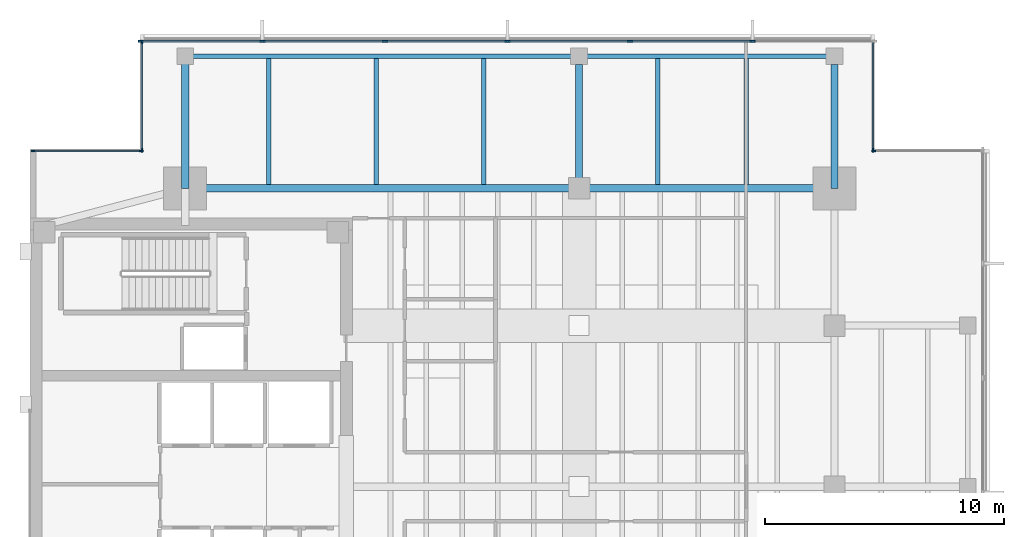
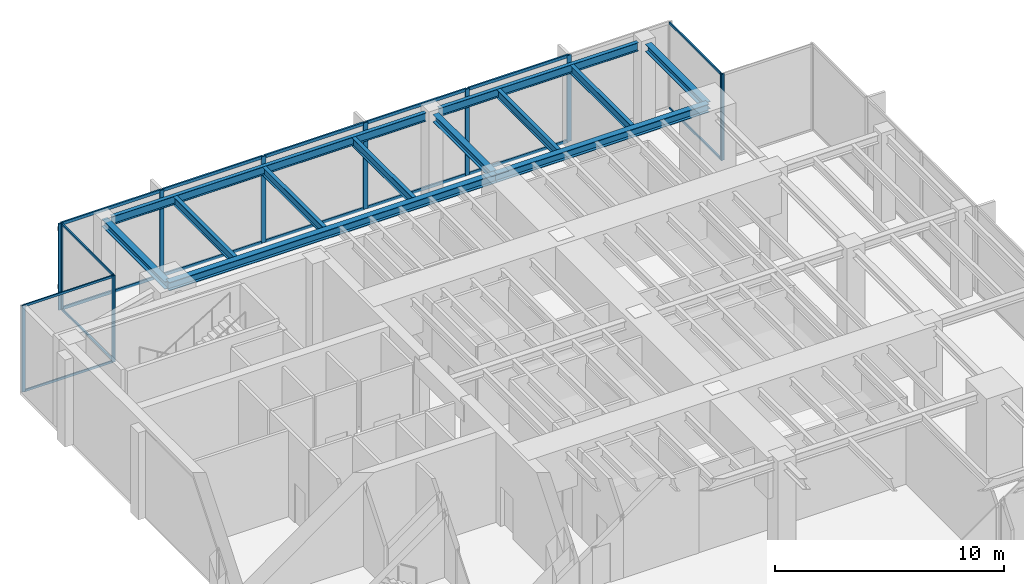
# One storey, part 5 of 14: 28 members, 12 beams, 5 elements without a shape of their own.
"""IFC4 building model written with IfcOpenShell, lengths in metres."""

from ifc_helpers import new_model, si_unit, direction, frame, origin, origin_2d, place, context, subcontext, project, spatial, rectangle, i_section, extrude, material, layer, layer_set, material_profile, profile_set, type_object, element, aggregate, save


model = new_model("IFC4")

# Units and contexts
model_context = context("Model", 3, precision=1e-05, world=origin(), true_north=direction((0.0, 1.0)))
body_context = subcontext(model_context, "Body", "Model", "MODEL_VIEW")
ifc_project = project(units=[si_unit("LENGTHUNIT", "METRE"), si_unit("AREAUNIT", "SQUARE_METRE"), si_unit("VOLUMEUNIT", "CUBIC_METRE"), si_unit("PLANEANGLEUNIT", "RADIAN"), si_unit("MASSUNIT", "GRAM", prefix="KILO")], contexts=[model_context])

# Site, building, storey
site_placement = place(None, origin())
site = spatial("IfcSite", under=ifc_project, at=site_placement, CompositionType="ELEMENT")
building_placement = place(site_placement, origin())
building = spatial("IfcBuilding", under=site, at=building_placement, Name="Kinhvarn Gate Tower", CompositionType="ELEMENT")
storey_placement = place(building_placement, frame((0.0, 0.0, 291.85009765625)))
storey = spatial("IfcBuildingStorey", under=building, at=storey_placement, Name="L78", CompositionType="ELEMENT", Elevation=291.85009765625)

# Curtain wall, member
ifc_material_1 = material(Name="Anodised aluminium AW-6063", Category="aluminium")
ifc_layer_1 = layer(ifc_material_1, 0.179931640625)
ifc_layer_set_1 = layer_set([ifc_layer_1], Name="Anodised aluminium AW-6063")
curtain_wall_type_1 = type_object("IfcCurtainWallType", Name="CW-SYS-4", PredefinedType="NOTDEFINED", material=ifc_layer_set_1)
curtain_wall_1_placement = place(storey_placement, origin())
curtain_wall_1 = element("IfcCurtainWall", 1, at=curtain_wall_1_placement, inside=storey, type_object=curtain_wall_type_1, Name="Curtain Wall CW4 (L78)", PredefinedType="NOTDEFINED")
ifc_material_profile_1 = material_profile(ifc_material_1, rectangle(XDim=0.06494140625, YDim=0.159912109375, at=origin_2d()), Name="ALU 65x160")
ifc_profile_set_1 = profile_set([ifc_material_profile_1], Name="Anodised aluminium AW-6063")
member_type_1 = type_object("IfcMemberType", Name="CW-MUL-160", PredefinedType="MULLION", material=ifc_profile_set_1)
member_1_placement = place(storey_placement, frame((39.842529296875, 39.31005859375, 0.0), z_axis=(0.0, 0.0, 1.0), x_axis=(0.0, -1.0, 0.0)))
member_1 = element("IfcMember", 2, at=member_1_placement, type_object=member_type_1, Name="CW4 mullion 2", PredefinedType="MULLION", context=body_context, shape_type="SweptSolid", body=[
    extrude(rectangle(XDim=0.06494140625, YDim=0.159912109375, at=origin_2d()), origin(), (0.0, 0.0, 1.0), 4.599853515625),
])
aggregate(curtain_wall_1, [member_1])

curtain_wall_2_placement = place(storey_placement, origin())
curtain_wall_2 = element("IfcCurtainWall", 3, at=curtain_wall_2_placement, inside=storey, type_object=curtain_wall_type_1, Name="Curtain Wall CW4 (L78)", PredefinedType="NOTDEFINED")
member_2_placement = place(storey_placement, frame((39.81005859375, 39.342529296875, 0.0), z_axis=(0.0, 0.0, 1.0), x_axis=(-1.0, 0.0, 0.0)))
member_2 = element("IfcMember", 4, at=member_2_placement, type_object=member_type_1, Name="CW4 mullion 1", PredefinedType="MULLION", context=body_context, shape_type="SweptSolid", body=[
    extrude(rectangle(XDim=0.06494140625, YDim=0.159912109375, at=origin_2d()), origin(), (0.0, 0.0, 1.0), 4.599853515625),
])

# Curtain wall, members
curtain_wall_3_placement = place(storey_placement, origin())
curtain_wall_3 = element("IfcCurtainWall", 5, at=curtain_wall_3_placement, inside=storey, type_object=curtain_wall_type_1, Name="Curtain Wall CW4 (L78)", PredefinedType="NOTDEFINED")
member_3_placement = place(storey_placement, frame((9.18994140625, 43.87744140625, 0.0), z_axis=(0.0, 0.0, 1.0), x_axis=(1.0, 0.0, 0.0)))
member_3 = element("IfcMember", 6, at=member_3_placement, type_object=member_type_1, Name="CW4 mullion 1", PredefinedType="MULLION", context=body_context, shape_type="SweptSolid", body=[
    extrude(rectangle(XDim=0.06494140625, YDim=0.159912109375, at=origin_2d()), origin(), (0.0, 0.0, 1.0), 4.599853515625),
])
member_4_placement = place(storey_placement, frame((9.18994140625, 39.342529296875, 0.0), z_axis=(0.0, 0.0, 1.0), x_axis=(1.0, 0.0, 0.0)))
member_4 = element("IfcMember", 7, at=member_4_placement, type_object=member_type_1, Name="CW4 mullion 2", PredefinedType="MULLION", context=body_context, shape_type="SweptSolid", body=[
    extrude(rectangle(XDim=0.06494140625, YDim=0.159912109375, at=origin_2d()), origin(), (0.0, 0.0, 1.0), 4.599853515625),
])

curtain_wall_4_placement = place(storey_placement, origin())
curtain_wall_4 = element("IfcCurtainWall", 8, at=curtain_wall_4_placement, inside=storey, type_object=curtain_wall_type_1, Name="Curtain Wall CW4 (L78)", PredefinedType="NOTDEFINED")
member_5_placement = place(storey_placement, frame((9.157470703125, 39.31005859375, 0.0), z_axis=(0.0, 0.0, 1.0), x_axis=(0.0, -1.0, 0.0)))
member_5 = element("IfcMember", 9, at=member_5_placement, type_object=member_type_1, Name="CW4 mullion 1", PredefinedType="MULLION", context=body_context, shape_type="SweptSolid", body=[
    extrude(rectangle(XDim=0.06494140625, YDim=0.159912109375, at=origin_2d()), origin(), (0.0, 0.0, 1.0), 4.599853515625),
])
member_6_placement = place(storey_placement, frame((4.62255859375, 39.31005859375, 0.0), z_axis=(0.0, 0.0, 1.0), x_axis=(0.0, -1.0, 0.0)))
member_6 = element("IfcMember", 10, at=member_6_placement, type_object=member_type_1, Name="CW4 mullion 2", PredefinedType="MULLION", context=body_context, shape_type="SweptSolid", body=[
    extrude(rectangle(XDim=0.06494140625, YDim=0.159912109375, at=origin_2d()), origin(), (0.0, 0.0, 1.0), 4.599853515625),
])

ifc_layer_2 = layer(ifc_material_1, 0.219970703125)
ifc_layer_set_2 = layer_set([ifc_layer_2], Name="Anodised aluminium AW-6063")
curtain_wall_type_2 = type_object("IfcCurtainWallType", Name="CW-SYS-5", PredefinedType="NOTDEFINED", material=ifc_layer_set_2)
curtain_wall_5_placement = place(storey_placement, origin())
curtain_wall_5 = element("IfcCurtainWall", 11, at=curtain_wall_5_placement, inside=storey, type_object=curtain_wall_type_2, Name="Curtain Wall CW5 (L78)", PredefinedType="NOTDEFINED")
ifc_material_profile_2 = material_profile(ifc_material_1, rectangle(XDim=0.080078125, YDim=0.219970703125, at=origin_2d()), Name="ALU 80x220")
ifc_profile_set_2 = profile_set([ifc_material_profile_2], Name="Anodised aluminium AW-6063")
member_type_2 = type_object("IfcMemberType", Name="CW-MUL-220", PredefinedType="MULLION", material=ifc_profile_set_2)
member_7_placement = place(storey_placement, frame((34.7666015625, 43.909912109375, 0.0), z_axis=(0.0, 0.0, 1.0), x_axis=(0.0, -1.0, 0.0)))
member_7 = element("IfcMember", 12, at=member_7_placement, type_object=member_type_2, Name="CW5 mullion 2", PredefinedType="MULLION", context=body_context, shape_type="SweptSolid", body=[
    extrude(rectangle(XDim=0.080078125, YDim=0.219970703125, at=origin_2d()), origin(), (0.0, 0.0, 1.0), 4.599853515625),
])
member_8_placement = place(storey_placement, frame((29.63330078125, 43.909912109375, 0.0), z_axis=(0.0, 0.0, 1.0), x_axis=(0.0, -1.0, 0.0)))
member_8 = element("IfcMember", 13, at=member_8_placement, type_object=member_type_2, Name="CW5 mullion 3", PredefinedType="MULLION", context=body_context, shape_type="SweptSolid", body=[
    extrude(rectangle(XDim=0.080078125, YDim=0.219970703125, at=origin_2d()), origin(), (0.0, 0.0, 1.0), 4.599853515625),
])
member_9_placement = place(storey_placement, frame((24.5, 43.909912109375, 0.0), z_axis=(0.0, 0.0, 1.0), x_axis=(0.0, -1.0, 0.0)))
member_9 = element("IfcMember", 14, at=member_9_placement, type_object=member_type_2, Name="CW5 mullion 4", PredefinedType="MULLION", context=body_context, shape_type="SweptSolid", body=[
    extrude(rectangle(XDim=0.080078125, YDim=0.219970703125, at=origin_2d()), origin(), (0.0, 0.0, 1.0), 4.599853515625),
])
member_10_placement = place(storey_placement, frame((19.36669921875, 43.909912109375, 0.0), z_axis=(0.0, 0.0, 1.0), x_axis=(0.0, -1.0, 0.0)))
member_10 = element("IfcMember", 15, at=member_10_placement, type_object=member_type_2, Name="CW5 mullion 5", PredefinedType="MULLION", context=body_context, shape_type="SweptSolid", body=[
    extrude(rectangle(XDim=0.080078125, YDim=0.219970703125, at=origin_2d()), origin(), (0.0, 0.0, 1.0), 4.599853515625),
])
member_11_placement = place(storey_placement, frame((14.2333984375, 43.909912109375, 0.0), z_axis=(0.0, 0.0, 1.0), x_axis=(0.0, -1.0, 0.0)))
member_11 = element("IfcMember", 16, at=member_11_placement, type_object=member_type_2, Name="CW5 mullion 6", PredefinedType="MULLION", context=body_context, shape_type="SweptSolid", body=[
    extrude(rectangle(XDim=0.080078125, YDim=0.219970703125, at=origin_2d()), origin(), (0.0, 0.0, 1.0), 4.599853515625),
])
member_12_placement = place(storey_placement, frame((9.139892578125, 43.909912109375, 0.0), z_axis=(0.0, 0.0, 1.0), x_axis=(0.0, -1.0, 0.0)))
member_12 = element("IfcMember", 17, at=member_12_placement, type_object=member_type_2, Name="CW5 mullion 7", PredefinedType="MULLION", context=body_context, shape_type="SweptSolid", body=[
    extrude(rectangle(XDim=0.080078125, YDim=0.219970703125, at=origin_2d()), origin(), (0.0, 0.0, 1.0), 4.599853515625),
])

# Member
ifc_material_profile_3 = material_profile(ifc_material_1, rectangle(XDim=0.06494140625, YDim=0.1201171875, at=origin_2d()), Name="ALU 65x120")
ifc_profile_set_3 = profile_set([ifc_material_profile_3], Name="Anodised aluminium AW-6063")
member_type_3 = type_object("IfcMemberType", Name="CW-TRN-120", PredefinedType="USERDEFINED", material=ifc_profile_set_3)
member_13_placement = place(storey_placement, frame((39.81005859375, 39.375, 0.032470703125), z_axis=(0.0, 1.0, 0.0), x_axis=(-1.0, 0.0, 0.0)))
member_13 = element("IfcMember", 18, at=member_13_placement, type_object=member_type_3, Name="CW4 transom 1.1", ObjectType="TRANSOM", PredefinedType="USERDEFINED", context=body_context, shape_type="SweptSolid", body=[
    extrude(rectangle(XDim=0.06494140625, YDim=0.1201171875, at=origin_2d()), origin(), (0.0, 0.0, 1.0), 4.469970703125),
])

member_14_placement = place(storey_placement, frame((39.81005859375, 39.375, 4.5673828125), z_axis=(0.0, 1.0, 0.0), x_axis=(-1.0, 0.0, 0.0)))
member_14 = element("IfcMember", 19, at=member_14_placement, type_object=member_type_3, Name="CW4 transom 1.2", ObjectType="TRANSOM", PredefinedType="USERDEFINED", context=body_context, shape_type="SweptSolid", body=[
    extrude(rectangle(XDim=0.06494140625, YDim=0.1201171875, at=origin_2d()), origin(), (0.0, 0.0, 1.0), 4.469970703125),
])

aggregate(curtain_wall_2, [member_2, member_13, member_14])

member_15_placement = place(storey_placement, frame((9.18994140625, 43.844970703125, 0.032470703125), z_axis=(0.0, -1.0, 0.0), x_axis=(1.0, 0.0, 0.0)))
member_15 = element("IfcMember", 20, at=member_15_placement, type_object=member_type_3, Name="CW4 transom 1.1", ObjectType="TRANSOM", PredefinedType="USERDEFINED", context=body_context, shape_type="SweptSolid", body=[
    extrude(rectangle(XDim=0.06494140625, YDim=0.1201171875, at=origin_2d()), origin(), (0.0, 0.0, 1.0), 4.469970703125),
])

member_16_placement = place(storey_placement, frame((9.18994140625, 43.844970703125, 4.5673828125), z_axis=(0.0, -1.0, 0.0), x_axis=(1.0, 0.0, 0.0)))
member_16 = element("IfcMember", 21, at=member_16_placement, type_object=member_type_3, Name="CW4 transom 1.2", ObjectType="TRANSOM", PredefinedType="USERDEFINED", context=body_context, shape_type="SweptSolid", body=[
    extrude(rectangle(XDim=0.06494140625, YDim=0.1201171875, at=origin_2d()), origin(), (0.0, 0.0, 1.0), 4.469970703125),
])

aggregate(curtain_wall_3, [member_3, member_4, member_15, member_16])

member_17_placement = place(storey_placement, frame((9.125, 39.31005859375, 0.032470703125), z_axis=(-1.0, 0.0, 0.0), x_axis=(0.0, -1.0, 0.0)))
member_17 = element("IfcMember", 22, at=member_17_placement, type_object=member_type_3, Name="CW4 transom 1.1", ObjectType="TRANSOM", PredefinedType="USERDEFINED", context=body_context, shape_type="SweptSolid", body=[
    extrude(rectangle(XDim=0.06494140625, YDim=0.1201171875, at=origin_2d()), origin(), (0.0, 0.0, 1.0), 4.469970703125),
])

member_18_placement = place(storey_placement, frame((9.125, 39.31005859375, 4.5673828125), z_axis=(-1.0, 0.0, 0.0), x_axis=(0.0, -1.0, 0.0)))
member_18 = element("IfcMember", 23, at=member_18_placement, type_object=member_type_3, Name="CW4 transom 1.2", ObjectType="TRANSOM", PredefinedType="USERDEFINED", context=body_context, shape_type="SweptSolid", body=[
    extrude(rectangle(XDim=0.06494140625, YDim=0.1201171875, at=origin_2d()), origin(), (0.0, 0.0, 1.0), 4.469970703125),
])

aggregate(curtain_wall_4, [member_5, member_6, member_17, member_18])

ifc_material_profile_4 = material_profile(ifc_material_1, rectangle(XDim=0.080078125, YDim=0.159912109375, at=origin_2d()), Name="ALU 80x160")
ifc_profile_set_4 = profile_set([ifc_material_profile_4], Name="Anodised aluminium AW-6063")
member_type_4 = type_object("IfcMemberType", Name="CW-TRN-160", PredefinedType="USERDEFINED", material=ifc_profile_set_4)
member_19_placement = place(storey_placement, frame((34.7265625, 43.909912109375, 0.039794921875), z_axis=(-1.0, 0.0, 0.0), x_axis=(0.0, -1.0, 0.0)))
member_19 = element("IfcMember", 24, at=member_19_placement, type_object=member_type_4, Name="CW5 transom 2.1", ObjectType="TRANSOM", PredefinedType="USERDEFINED", context=body_context, shape_type="SweptSolid", body=[
    extrude(rectangle(XDim=0.080078125, YDim=0.159912109375, at=origin_2d()), origin(), (0.0, 0.0, 1.0), 5.05322265625),
])

member_20_placement = place(storey_placement, frame((34.7265625, 43.909912109375, 4.559814453125), z_axis=(-1.0, 0.0, 0.0), x_axis=(0.0, -1.0, 0.0)))
member_20 = element("IfcMember", 25, at=member_20_placement, type_object=member_type_4, Name="CW5 transom 2.2", ObjectType="TRANSOM", PredefinedType="USERDEFINED", context=body_context, shape_type="SweptSolid", body=[
    extrude(rectangle(XDim=0.080078125, YDim=0.159912109375, at=origin_2d()), origin(), (0.0, 0.0, 1.0), 5.05322265625),
])

member_21_placement = place(storey_placement, frame((29.59326171875, 43.909912109375, 0.039794921875), z_axis=(-1.0, 0.0, 0.0), x_axis=(0.0, -1.0, 0.0)))
member_21 = element("IfcMember", 26, at=member_21_placement, type_object=member_type_4, Name="CW5 transom 3.1", ObjectType="TRANSOM", PredefinedType="USERDEFINED", context=body_context, shape_type="SweptSolid", body=[
    extrude(rectangle(XDim=0.080078125, YDim=0.159912109375, at=origin_2d()), origin(), (0.0, 0.0, 1.0), 5.05322265625),
])

member_22_placement = place(storey_placement, frame((29.59326171875, 43.909912109375, 4.559814453125), z_axis=(-1.0, 0.0, 0.0), x_axis=(0.0, -1.0, 0.0)))
member_22 = element("IfcMember", 27, at=member_22_placement, type_object=member_type_4, Name="CW5 transom 3.2", ObjectType="TRANSOM", PredefinedType="USERDEFINED", context=body_context, shape_type="SweptSolid", body=[
    extrude(rectangle(XDim=0.080078125, YDim=0.159912109375, at=origin_2d()), origin(), (0.0, 0.0, 1.0), 5.05322265625),
])

member_23_placement = place(storey_placement, frame((24.4599609375, 43.909912109375, 0.039794921875), z_axis=(-1.0, 0.0, 0.0), x_axis=(0.0, -1.0, 0.0)))
member_23 = element("IfcMember", 28, at=member_23_placement, type_object=member_type_4, Name="CW5 transom 4.1", ObjectType="TRANSOM", PredefinedType="USERDEFINED", context=body_context, shape_type="SweptSolid", body=[
    extrude(rectangle(XDim=0.080078125, YDim=0.159912109375, at=origin_2d()), origin(), (0.0, 0.0, 1.0), 5.05322265625),
])

member_24_placement = place(storey_placement, frame((24.4599609375, 43.909912109375, 4.559814453125), z_axis=(-1.0, 0.0, 0.0), x_axis=(0.0, -1.0, 0.0)))
member_24 = element("IfcMember", 29, at=member_24_placement, type_object=member_type_4, Name="CW5 transom 4.2", ObjectType="TRANSOM", PredefinedType="USERDEFINED", context=body_context, shape_type="SweptSolid", body=[
    extrude(rectangle(XDim=0.080078125, YDim=0.159912109375, at=origin_2d()), origin(), (0.0, 0.0, 1.0), 5.05322265625),
])

member_25_placement = place(storey_placement, frame((19.32666015625, 43.909912109375, 0.039794921875), z_axis=(-1.0, 0.0, 0.0), x_axis=(0.0, -1.0, 0.0)))
member_25 = element("IfcMember", 30, at=member_25_placement, type_object=member_type_4, Name="CW5 transom 5.1", ObjectType="TRANSOM", PredefinedType="USERDEFINED", context=body_context, shape_type="SweptSolid", body=[
    extrude(rectangle(XDim=0.080078125, YDim=0.159912109375, at=origin_2d()), origin(), (0.0, 0.0, 1.0), 5.05322265625),
])

member_26_placement = place(storey_placement, frame((19.32666015625, 43.909912109375, 4.559814453125), z_axis=(-1.0, 0.0, 0.0), x_axis=(0.0, -1.0, 0.0)))
member_26 = element("IfcMember", 31, at=member_26_placement, type_object=member_type_4, Name="CW5 transom 5.2", ObjectType="TRANSOM", PredefinedType="USERDEFINED", context=body_context, shape_type="SweptSolid", body=[
    extrude(rectangle(XDim=0.080078125, YDim=0.159912109375, at=origin_2d()), origin(), (0.0, 0.0, 1.0), 5.05322265625),
])

member_27_placement = place(storey_placement, frame((14.193359375, 43.909912109375, 0.039794921875), z_axis=(-1.0, 0.0, 0.0), x_axis=(0.0, -1.0, 0.0)))
member_27 = element("IfcMember", 32, at=member_27_placement, type_object=member_type_4, Name="CW5 transom 6.1", ObjectType="TRANSOM", PredefinedType="USERDEFINED", context=body_context, shape_type="SweptSolid", body=[
    extrude(rectangle(XDim=0.080078125, YDim=0.159912109375, at=origin_2d()), origin(), (0.0, 0.0, 1.0), 5.013427734375),
])

member_28_placement = place(storey_placement, frame((14.193359375, 43.909912109375, 4.559814453125), z_axis=(-1.0, 0.0, 0.0), x_axis=(0.0, -1.0, 0.0)))
member_28 = element("IfcMember", 33, at=member_28_placement, type_object=member_type_4, Name="CW5 transom 6.2", ObjectType="TRANSOM", PredefinedType="USERDEFINED", context=body_context, shape_type="SweptSolid", body=[
    extrude(rectangle(XDim=0.080078125, YDim=0.159912109375, at=origin_2d()), origin(), (0.0, 0.0, 1.0), 5.013427734375),
])

aggregate(curtain_wall_5, [member_7, member_8, member_9, member_10, member_11, member_12, member_19, member_20, member_21, member_22, member_23, member_24, member_25, member_26, member_27, member_28])

# Beams
ifc_material_2 = material(Name="Steel S355", Category="steel")
ifc_material_profile_5 = material_profile(ifc_material_2, i_section(OverallWidth=0.300048828125, OverallDepth=0.39990234375, WebThickness=0.013427734375, FlangeThickness=0.02392578125, at=origin_2d()), Name="HEB 400")
ifc_profile_set_5 = profile_set([ifc_material_profile_5], Name="Steel S355")
beam_type_1 = type_object("IfcBeamType", Name="STL-HEB400", PredefinedType="BEAM", material=ifc_profile_set_5)
beam_1_placement = place(storey_placement, frame((11.0, 37.75, 4.39990234375), z_axis=(0.0, 1.0, 0.0), x_axis=(-1.0, 0.0, 0.0)))
element("IfcBeam", 34, at=beam_1_placement, inside=storey, type_object=beam_type_1, Name="Floor Beam PG-12 (L78 MCW-N)", PredefinedType="BEAM", context=body_context, shape_type="SweptSolid", body=[
    extrude(i_section(OverallWidth=0.300048828125, OverallDepth=0.39990234375, WebThickness=0.013427734375, FlangeThickness=0.02392578125, at=origin_2d()), origin(), (0.0, 0.0, 1.0), 5.530029296875),
])
for number, where, z_axis, x_axis, name in (
    (35, (27.5, 37.75, 4.39990234375), (0.0, 1.0, 0.0), (-1.0, 0.0, 0.0), "Floor Beam PG-12 (L78 SP27-N-TIE)"),
    (36, (38.199951171875, 37.75, 4.39990234375), (0.0, 1.0, 0.0), (-1.0, 0.0, 0.0), "Floor Beam PG-12 (L78 MCE-N)"),
):
    element("IfcBeam", number, at=place(storey_placement, frame(where, z_axis=z_axis, x_axis=x_axis)), inside=storey, type_object=beam_type_1, Name=name, PredefinedType="BEAM", context=body_context, shape_type="SweptSolid", body=[
        extrude(i_section(OverallWidth=0.300048828125, OverallDepth=0.39990234375, WebThickness=0.013427734375, FlangeThickness=0.02392578125, at=origin_2d()), origin(), (0.0, 0.0, 1.0), 5.195068359375),
    ])
ifc_material_profile_6 = material_profile(ifc_material_2, i_section(OverallWidth=0.300048828125, OverallDepth=0.449951171875, WebThickness=0.013916015625, FlangeThickness=0.02587890625, at=origin_2d()), Name="HEB 450")
ifc_profile_set_6 = profile_set([ifc_material_profile_6], Name="Steel S355")
beam_type_2 = type_object("IfcBeamType", Name="STL-HEB450", PredefinedType="BEAM", material=ifc_profile_set_6)
beam_2_placement = place(storey_placement, frame((11.0, 37.75, 4.375), z_axis=(1.0, 0.0, 0.0), x_axis=(0.0, 1.0, 0.0)))
element("IfcBeam", 37, at=beam_2_placement, inside=storey, type_object=beam_type_2, Name="Floor Beam PG-13 (L78 MG-N1)", PredefinedType="BEAM", context=body_context, shape_type="SweptSolid", body=[
    extrude(i_section(OverallWidth=0.300048828125, OverallDepth=0.449951171875, WebThickness=0.013916015625, FlangeThickness=0.02587890625, at=origin_2d()), origin(), (0.0, 0.0, 1.0), 16.5),
])
beam_3_placement = place(storey_placement, frame((27.5, 37.75, 4.375), z_axis=(1.0, 0.0, 0.0), x_axis=(0.0, 1.0, 0.0)))
element("IfcBeam", 38, at=beam_3_placement, inside=storey, type_object=beam_type_2, Name="Floor Beam PG-13 (L78 MG-N2)", PredefinedType="BEAM", context=body_context, shape_type="SweptSolid", body=[
    extrude(i_section(OverallWidth=0.300048828125, OverallDepth=0.449951171875, WebThickness=0.013916015625, FlangeThickness=0.02587890625, at=origin_2d()), origin(), (0.0, 0.0, 1.0), 10.699951171875),
])
ifc_material_profile_7 = material_profile(ifc_material_2, i_section(OverallWidth=0.18994140625, OverallDepth=0.449951171875, WebThickness=0.009521484375, FlangeThickness=0.0146484375, at=origin_2d()), Name="IPE 450")
ifc_profile_set_7 = profile_set([ifc_material_profile_7], Name="Steel S355")
beam_type_3 = type_object("IfcBeamType", Name="STL-IPE450", PredefinedType="JOIST", material=ifc_profile_set_7)
beam_4_placement = place(storey_placement, frame((11.3349609375, 43.280029296875, 4.375), z_axis=(1.0, 0.0, 0.0), x_axis=(0.0, 1.0, 0.0)))
element("IfcBeam", 39, at=beam_4_placement, inside=storey, type_object=beam_type_3, Name="Floor Joist SB-06 (L78 SP-N1)", PredefinedType="JOIST", context=body_context, shape_type="SweptSolid", body=[
    extrude(i_section(OverallWidth=0.18994140625, OverallDepth=0.449951171875, WebThickness=0.009521484375, FlangeThickness=0.0146484375, at=origin_2d()), origin(), (0.0, 0.0, 1.0), 15.830078125),
])
beam_5_placement = place(storey_placement, frame((27.8349609375, 43.280029296875, 4.375), z_axis=(1.0, 0.0, 0.0), x_axis=(0.0, 1.0, 0.0)))
element("IfcBeam", 40, at=beam_5_placement, inside=storey, type_object=beam_type_3, Name="Floor Joist SB-06 (L78 SP-N2)", PredefinedType="JOIST", context=body_context, shape_type="SweptSolid", body=[
    extrude(i_section(OverallWidth=0.18994140625, OverallDepth=0.449951171875, WebThickness=0.009521484375, FlangeThickness=0.0146484375, at=origin_2d()), origin(), (0.0, 0.0, 1.0), 10.030029296875),
])
for number, where, z_axis, x_axis, name in (
    (41, (14.5, 37.89990234375, 4.375), (0.0, 1.0, 0.0), (-1.0, 0.0, 0.0), "Floor Joist SB-06 (L78 JN-X145)"),
    (42, (19.0, 37.89990234375, 4.375), (0.0, 1.0, 0.0), (-1.0, 0.0, 0.0), "Floor Joist SB-06 (L78 JN-X190)"),
    (43, (23.5, 37.89990234375, 4.375), (0.0, 1.0, 0.0), (-1.0, 0.0, 0.0), "Floor Joist SB-06 (L78 JN-X235)"),
    (44, (30.800048828125, 37.89990234375, 4.375), (0.0, 1.0, 0.0), (-1.0, 0.0, 0.0), "Floor Joist SB-06 (L78 JN-X308)"),
    (45, (34.5, 37.89990234375, 4.375), (0.0, 1.0, 0.0), (-1.0, 0.0, 0.0), "Floor Joist SB-06 (L78 JN-X345)"),
):
    element("IfcBeam", number, at=place(storey_placement, frame(where, z_axis=z_axis, x_axis=x_axis)), inside=storey, type_object=beam_type_3, Name=name, PredefinedType="JOIST", context=body_context, shape_type="SweptSolid", body=[
        extrude(i_section(OverallWidth=0.18994140625, OverallDepth=0.449951171875, WebThickness=0.009521484375, FlangeThickness=0.0146484375, at=origin_2d()), origin(), (0.0, 0.0, 1.0), 5.28515625),
    ])

save(model, "model.ifc")
